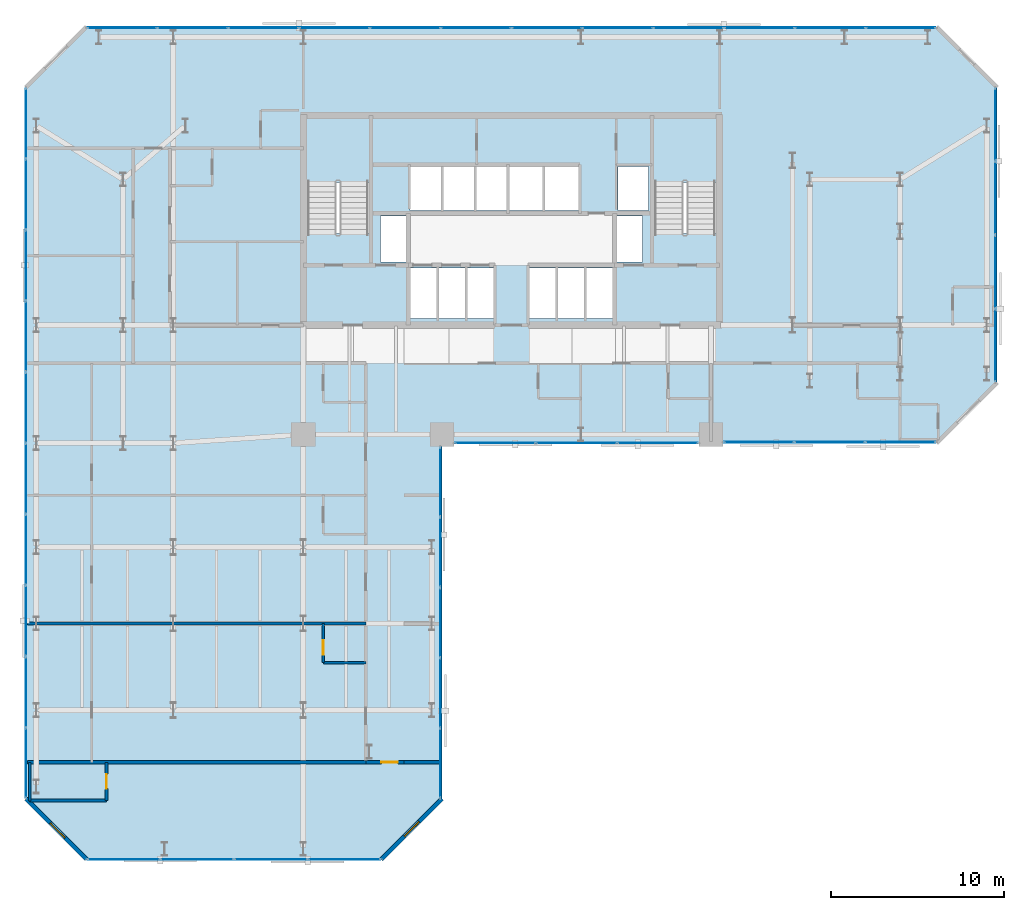
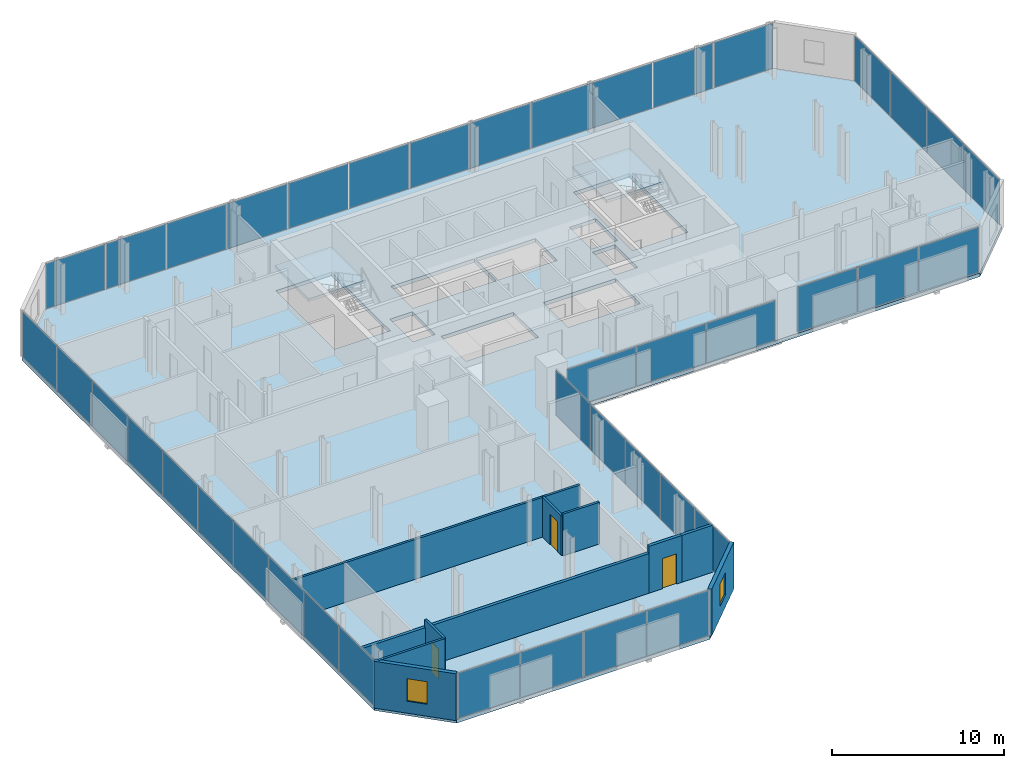
# One storey, part 28 of 33: 41 plates, 11 walls, 3 doors, 3 slabs, 2 windows, 5 openings, 9 elements without a shape of their own.
"""IFC4 building model written with IfcOpenShell, lengths in metres."""

from ifc_helpers import new_model, si_unit, direction, frame, frame_2d, origin, origin_2d, place, context, subcontext, project, spatial, polyline, rectangle, outline, extrude, material, layer, layer_set, type_object, element, fill, aggregate, save


model = new_model("IFC4")

# Units and contexts
model_context = context("Model", 3, precision=1e-05, world=origin(), true_north=direction((0.0, 1.0)))
body_context = subcontext(model_context, "Body", "Model", "MODEL_VIEW")
ifc_project = project(units=[si_unit("LENGTHUNIT", "METRE"), si_unit("AREAUNIT", "SQUARE_METRE"), si_unit("VOLUMEUNIT", "CUBIC_METRE"), si_unit("PLANEANGLEUNIT", "RADIAN"), si_unit("MASSUNIT", "GRAM", prefix="KILO")], contexts=[model_context])

# Site, building, storey
site_placement = place(None, origin())
site = spatial("IfcSite", under=ifc_project, at=site_placement, CompositionType="ELEMENT")
building_placement = place(site_placement, origin())
building = spatial("IfcBuilding", under=site, at=building_placement, Name="Catumbela Crestline Tower", CompositionType="ELEMENT")
storey_placement = place(building_placement, frame((0.0, 0.0, 54.6)))
storey = spatial("IfcBuildingStorey", under=building, at=storey_placement, Name="L13", CompositionType="ELEMENT", Elevation=54.6)

# Curtain wall, plates
ifc_material_1 = material(Name="Aluminium alloy AW-6060-T66", Category="aluminium")
ifc_layer_1 = layer(ifc_material_1, 0.18, Name="Aluminium alloy AW-6060-T66")
ifc_layer_set_1 = layer_set([ifc_layer_1], Name="Aluminium alloy AW-6060-T66")
curtain_wall_type = type_object("IfcCurtainWallType", Name="CWU-Z1", PredefinedType="USERDEFINED", material=ifc_layer_set_1)
curtain_wall_1_placement = place(storey_placement, origin())
curtain_wall_1 = element("IfcCurtainWall", 1, at=curtain_wall_1_placement, inside=storey, type_object=curtain_wall_type, Name="L13 Unitised Curtain Wall CW-L13-E0S1", ObjectType="UNITISED", PredefinedType="USERDEFINED")
ifc_material_2 = material(Name="Low-E laminated solar-control double glazing", Category="glass")
ifc_layer_2 = layer(ifc_material_2, 0.034, Name="Low-E laminated solar-control double glazing")
ifc_layer_set_2 = layer_set([ifc_layer_2], Name="Low-E laminated solar-control double glazing")
plate_type = type_object("IfcPlateType", Name="PNL-GLZ-Z1", PredefinedType="CURTAIN_PANEL", material=ifc_layer_set_2)
plate_1_placement = place(storey_placement, frame((5.6412, 0.0, 0.06), z_axis=(0.0, 0.0, 1.0), x_axis=(1.0, 0.0, 0.0)))
plate_1 = element("IfcPlate", 2, at=plate_1_placement, type_object=plate_type, Name="CWU-Z1 panel 1.1", PredefinedType="CURTAIN_PANEL", context=body_context, shape_type="SweptSolid", body=[
    extrude(rectangle(XDim=4.1525, YDim=0.034, at=origin_2d()), origin(), (0.0, 0.0, 1.0), 3.21),
])
plate_2_placement = place(storey_placement, frame((9.875, 0.0, 0.06), z_axis=(0.0, 0.0, 1.0), x_axis=(1.0, 0.0, 0.0)))
plate_2 = element("IfcPlate", 3, at=plate_2_placement, type_object=plate_type, Name="CWU-Z1 panel 2.1", PredefinedType="CURTAIN_PANEL", context=body_context, shape_type="SweptSolid", body=[
    extrude(rectangle(XDim=4.185, YDim=0.034, at=origin_2d()), origin(), (0.0, 0.0, 1.0), 3.21),
])
plate_3_placement = place(storey_placement, frame((14.125, 0.0, 0.06), z_axis=(0.0, 0.0, 1.0), x_axis=(1.0, 0.0, 0.0)))
plate_3 = element("IfcPlate", 4, at=plate_3_placement, type_object=plate_type, Name="CWU-Z1 panel 3.1", PredefinedType="CURTAIN_PANEL", context=body_context, shape_type="SweptSolid", body=[
    extrude(rectangle(XDim=4.185, YDim=0.034, at=origin_2d()), origin(), (0.0, 0.0, 1.0), 3.21),
])
plate_4_placement = place(storey_placement, frame((18.3588, 0.0, 0.06), z_axis=(0.0, 0.0, 1.0), x_axis=(1.0, 0.0, 0.0)))
plate_4 = element("IfcPlate", 5, at=plate_4_placement, type_object=plate_type, Name="CWU-Z1 panel 4.1", PredefinedType="CURTAIN_PANEL", context=body_context, shape_type="SweptSolid", body=[
    extrude(rectangle(XDim=4.1525, YDim=0.034, at=origin_2d()), origin(), (0.0, 0.0, 1.0), 3.21),
])
aggregate(curtain_wall_1, [plate_1, plate_2, plate_3, plate_4])

curtain_wall_2_placement = place(storey_placement, origin())
curtain_wall_2 = element("IfcCurtainWall", 6, at=curtain_wall_2_placement, inside=storey, type_object=curtain_wall_type, Name="L13 Unitised Curtain Wall CW-L13-E2S1", ObjectType="UNITISED", PredefinedType="USERDEFINED")
plate_5_placement = place(storey_placement, frame((23.9, 5.5462, 0.06), z_axis=(0.0, 0.0, 1.0), x_axis=(0.0, 1.0, 0.0)))
plate_5 = element("IfcPlate", 7, at=plate_5_placement, type_object=plate_type, Name="CWU-Z1 panel 1.1", PredefinedType="CURTAIN_PANEL", context=body_context, shape_type="SweptSolid", body=[
    extrude(rectangle(XDim=3.9625, YDim=0.034, at=origin_2d()), origin(), (0.0, 0.0, 1.0), 3.21),
])
plate_6_placement = place(storey_placement, frame((23.9, 9.59, 0.06), z_axis=(0.0, 0.0, 1.0), x_axis=(0.0, 1.0, 0.0)))
plate_6 = element("IfcPlate", 8, at=plate_6_placement, type_object=plate_type, Name="CWU-Z1 panel 2.1", PredefinedType="CURTAIN_PANEL", context=body_context, shape_type="SweptSolid", body=[
    extrude(rectangle(XDim=3.995, YDim=0.034, at=origin_2d()), origin(), (0.0, 0.0, 1.0), 3.21),
])
plate_7_placement = place(storey_placement, frame((23.9, 13.65, 0.06), z_axis=(0.0, 0.0, 1.0), x_axis=(0.0, 1.0, 0.0)))
plate_7 = element("IfcPlate", 9, at=plate_7_placement, type_object=plate_type, Name="CWU-Z1 panel 3.1", PredefinedType="CURTAIN_PANEL", context=body_context, shape_type="SweptSolid", body=[
    extrude(rectangle(XDim=3.995, YDim=0.034, at=origin_2d()), origin(), (0.0, 0.0, 1.0), 3.21),
])
plate_8_placement = place(storey_placement, frame((23.9, 17.71, 0.06), z_axis=(0.0, 0.0, 1.0), x_axis=(0.0, 1.0, 0.0)))
plate_8 = element("IfcPlate", 10, at=plate_8_placement, type_object=plate_type, Name="CWU-Z1 panel 4.1", PredefinedType="CURTAIN_PANEL", context=body_context, shape_type="SweptSolid", body=[
    extrude(rectangle(XDim=3.995, YDim=0.034, at=origin_2d()), origin(), (0.0, 0.0, 1.0), 3.21),
])
plate_9_placement = place(storey_placement, frame((23.9, 21.7538, 0.06), z_axis=(0.0, 0.0, 1.0), x_axis=(0.0, 1.0, 0.0)))
plate_9 = element("IfcPlate", 11, at=plate_9_placement, type_object=plate_type, Name="CWU-Z1 panel 5.1", PredefinedType="CURTAIN_PANEL", context=body_context, shape_type="SweptSolid", body=[
    extrude(rectangle(XDim=3.9625, YDim=0.034, at=origin_2d()), origin(), (0.0, 0.0, 1.0), 3.21),
])
aggregate(curtain_wall_2, [plate_5, plate_6, plate_7, plate_8, plate_9])

curtain_wall_3_placement = place(storey_placement, origin())
curtain_wall_3 = element("IfcCurtainWall", 12, at=curtain_wall_3_placement, inside=storey, type_object=curtain_wall_type, Name="L13 Unitised Curtain Wall CW-L13-E3S1", ObjectType="UNITISED", PredefinedType="USERDEFINED")
plate_10_placement = place(storey_placement, frame((27.0662, 24.0, 0.06), z_axis=(0.0, 0.0, 1.0), x_axis=(1.0, 0.0, 0.0)))
plate_10 = element("IfcPlate", 13, at=plate_10_placement, type_object=plate_type, Name="CWU-Z1 panel 1.1", PredefinedType="CURTAIN_PANEL", context=body_context, shape_type="SweptSolid", body=[
    extrude(rectangle(XDim=4.6025, YDim=0.034, at=origin_2d()), origin(), (0.0, 0.0, 1.0), 2.81),
])
plate_11_placement = place(storey_placement, frame((31.75, 24.0, 0.06), z_axis=(0.0, 0.0, 1.0), x_axis=(1.0, 0.0, 0.0)))
plate_11 = element("IfcPlate", 14, at=plate_11_placement, type_object=plate_type, Name="CWU-Z1 panel 2.1", PredefinedType="CURTAIN_PANEL", context=body_context, shape_type="SweptSolid", body=[
    extrude(rectangle(XDim=4.635, YDim=0.034, at=origin_2d()), origin(), (0.0, 0.0, 1.0), 2.81),
])
plate_12_placement = place(storey_placement, frame((36.4338, 24.0, 0.06), z_axis=(0.0, 0.0, 1.0), x_axis=(1.0, 0.0, 0.0)))
plate_12 = element("IfcPlate", 15, at=plate_12_placement, type_object=plate_type, Name="CWU-Z1 panel 3.1", PredefinedType="CURTAIN_PANEL", context=body_context, shape_type="SweptSolid", body=[
    extrude(rectangle(XDim=4.6025, YDim=0.034, at=origin_2d()), origin(), (0.0, 0.0, 1.0), 2.81),
])
aggregate(curtain_wall_3, [plate_10, plate_11, plate_12])

curtain_wall_4_placement = place(storey_placement, origin())
curtain_wall_4 = element("IfcCurtainWall", 16, at=curtain_wall_4_placement, inside=storey, type_object=curtain_wall_type, Name="L13 Unitised Curtain Wall CW-L13-E3S2", ObjectType="UNITISED", PredefinedType="USERDEFINED")
plate_13_placement = place(storey_placement, frame((42.2662, 24.05, 0.06), z_axis=(0.0, 0.0, 1.0), x_axis=(1.0, 0.0, 0.0)))
plate_13 = element("IfcPlate", 17, at=plate_13_placement, type_object=plate_type, Name="CWU-Z1 panel 1.1", PredefinedType="CURTAIN_PANEL", context=body_context, shape_type="SweptSolid", body=[
    extrude(rectangle(XDim=4.0025, YDim=0.034, at=origin_2d()), origin(), (0.0, 0.0, 1.0), 3.21),
])
plate_14_placement = place(storey_placement, frame((46.35, 24.05, 0.06), z_axis=(0.0, 0.0, 1.0), x_axis=(1.0, 0.0, 0.0)))
plate_14 = element("IfcPlate", 18, at=plate_14_placement, type_object=plate_type, Name="CWU-Z1 panel 2.1", PredefinedType="CURTAIN_PANEL", context=body_context, shape_type="SweptSolid", body=[
    extrude(rectangle(XDim=4.035, YDim=0.034, at=origin_2d()), origin(), (0.0, 0.0, 1.0), 3.21),
])
plate_15_placement = place(storey_placement, frame((50.4338, 24.05, 0.06), z_axis=(0.0, 0.0, 1.0), x_axis=(1.0, 0.0, 0.0)))
plate_15 = element("IfcPlate", 19, at=plate_15_placement, type_object=plate_type, Name="CWU-Z1 panel 3.1", PredefinedType="CURTAIN_PANEL", context=body_context, shape_type="SweptSolid", body=[
    extrude(rectangle(XDim=4.0025, YDim=0.034, at=origin_2d()), origin(), (0.0, 0.0, 1.0), 3.21),
])
aggregate(curtain_wall_4, [plate_13, plate_14, plate_15])

curtain_wall_5_placement = place(storey_placement, origin())
curtain_wall_5 = element("IfcCurtainWall", 20, at=curtain_wall_5_placement, inside=storey, type_object=curtain_wall_type, Name="L13 Unitised Curtain Wall CW-L13-E5S1", ObjectType="UNITISED", PredefinedType="USERDEFINED")
plate_16_placement = place(storey_placement, frame((55.9, 29.6412, 0.06), z_axis=(0.0, 0.0, 1.0), x_axis=(0.0, 1.0, 0.0)))
plate_16 = element("IfcPlate", 21, at=plate_16_placement, type_object=plate_type, Name="CWU-Z1 panel 1.1", PredefinedType="CURTAIN_PANEL", context=body_context, shape_type="SweptSolid", body=[
    extrude(rectangle(XDim=4.1525, YDim=0.034, at=origin_2d()), origin(), (0.0, 0.0, 1.0), 3.21),
])
plate_17_placement = place(storey_placement, frame((55.9, 33.875, 0.06), z_axis=(0.0, 0.0, 1.0), x_axis=(0.0, 1.0, 0.0)))
plate_17 = element("IfcPlate", 22, at=plate_17_placement, type_object=plate_type, Name="CWU-Z1 panel 2.1", PredefinedType="CURTAIN_PANEL", context=body_context, shape_type="SweptSolid", body=[
    extrude(rectangle(XDim=4.185, YDim=0.034, at=origin_2d()), origin(), (0.0, 0.0, 1.0), 3.21),
])
plate_18_placement = place(storey_placement, frame((55.9, 38.125, 0.06), z_axis=(0.0, 0.0, 1.0), x_axis=(0.0, 1.0, 0.0)))
plate_18 = element("IfcPlate", 23, at=plate_18_placement, type_object=plate_type, Name="CWU-Z1 panel 3.1", PredefinedType="CURTAIN_PANEL", context=body_context, shape_type="SweptSolid", body=[
    extrude(rectangle(XDim=4.185, YDim=0.034, at=origin_2d()), origin(), (0.0, 0.0, 1.0), 3.21),
])
plate_19_placement = place(storey_placement, frame((55.9, 42.3588, 0.06), z_axis=(0.0, 0.0, 1.0), x_axis=(0.0, 1.0, 0.0)))
plate_19 = element("IfcPlate", 24, at=plate_19_placement, type_object=plate_type, Name="CWU-Z1 panel 4.1", PredefinedType="CURTAIN_PANEL", context=body_context, shape_type="SweptSolid", body=[
    extrude(rectangle(XDim=4.1525, YDim=0.034, at=origin_2d()), origin(), (0.0, 0.0, 1.0), 3.21),
])
aggregate(curtain_wall_5, [plate_16, plate_17, plate_18, plate_19])

curtain_wall_6_placement = place(storey_placement, origin())
curtain_wall_6 = element("IfcCurtainWall", 25, at=curtain_wall_6_placement, inside=storey, type_object=curtain_wall_type, Name="L13 Unitised Curtain Wall CW-L13-E7S1", ObjectType="UNITISED", PredefinedType="USERDEFINED")
plate_20_placement = place(storey_placement, frame((50.4421, 47.95, 0.06), z_axis=(0.0, 0.0, 1.0), x_axis=(-1.0, 0.0, 0.0)))
plate_20 = element("IfcPlate", 26, at=plate_20_placement, type_object=plate_type, Name="CWU-Z1 panel 1.1", PredefinedType="CURTAIN_PANEL", context=body_context, shape_type="SweptSolid", body=[
    extrude(rectangle(XDim=3.9858, YDim=0.034, at=origin_2d()), origin(), (0.0, 0.0, 1.0), 3.21),
])
plate_21_placement = place(storey_placement, frame((46.375, 47.95, 0.06), z_axis=(0.0, 0.0, 1.0), x_axis=(-1.0, 0.0, 0.0)))
plate_21 = element("IfcPlate", 27, at=plate_21_placement, type_object=plate_type, Name="CWU-Z1 panel 2.1", PredefinedType="CURTAIN_PANEL", context=body_context, shape_type="SweptSolid", body=[
    extrude(rectangle(XDim=4.0183, YDim=0.034, at=origin_2d()), origin(), (0.0, 0.0, 1.0), 3.21),
])
plate_22_placement = place(storey_placement, frame((42.2917, 47.95, 0.06), z_axis=(0.0, 0.0, 1.0), x_axis=(-1.0, 0.0, 0.0)))
plate_22 = element("IfcPlate", 28, at=plate_22_placement, type_object=plate_type, Name="CWU-Z1 panel 3.1", PredefinedType="CURTAIN_PANEL", context=body_context, shape_type="SweptSolid", body=[
    extrude(rectangle(XDim=4.0183, YDim=0.034, at=origin_2d()), origin(), (0.0, 0.0, 1.0), 3.21),
])
plate_23_placement = place(storey_placement, frame((38.2083, 47.95, 0.06), z_axis=(0.0, 0.0, 1.0), x_axis=(-1.0, 0.0, 0.0)))
plate_23 = element("IfcPlate", 29, at=plate_23_placement, type_object=plate_type, Name="CWU-Z1 panel 4.1", PredefinedType="CURTAIN_PANEL", context=body_context, shape_type="SweptSolid", body=[
    extrude(rectangle(XDim=4.0183, YDim=0.034, at=origin_2d()), origin(), (0.0, 0.0, 1.0), 3.21),
])
plate_24_placement = place(storey_placement, frame((34.125, 47.95, 0.06), z_axis=(0.0, 0.0, 1.0), x_axis=(-1.0, 0.0, 0.0)))
plate_24 = element("IfcPlate", 30, at=plate_24_placement, type_object=plate_type, Name="CWU-Z1 panel 5.1", PredefinedType="CURTAIN_PANEL", context=body_context, shape_type="SweptSolid", body=[
    extrude(rectangle(XDim=4.0183, YDim=0.034, at=origin_2d()), origin(), (0.0, 0.0, 1.0), 3.21),
])
plate_25_placement = place(storey_placement, frame((30.0417, 47.95, 0.06), z_axis=(0.0, 0.0, 1.0), x_axis=(-1.0, 0.0, 0.0)))
plate_25 = element("IfcPlate", 31, at=plate_25_placement, type_object=plate_type, Name="CWU-Z1 panel 6.1", PredefinedType="CURTAIN_PANEL", context=body_context, shape_type="SweptSolid", body=[
    extrude(rectangle(XDim=4.0183, YDim=0.034, at=origin_2d()), origin(), (0.0, 0.0, 1.0), 3.21),
])
plate_26_placement = place(storey_placement, frame((25.9583, 47.95, 0.06), z_axis=(0.0, 0.0, 1.0), x_axis=(-1.0, 0.0, 0.0)))
plate_26 = element("IfcPlate", 32, at=plate_26_placement, type_object=plate_type, Name="CWU-Z1 panel 7.1", PredefinedType="CURTAIN_PANEL", context=body_context, shape_type="SweptSolid", body=[
    extrude(rectangle(XDim=4.0183, YDim=0.034, at=origin_2d()), origin(), (0.0, 0.0, 1.0), 3.21),
])
plate_27_placement = place(storey_placement, frame((21.875, 47.95, 0.06), z_axis=(0.0, 0.0, 1.0), x_axis=(-1.0, 0.0, 0.0)))
plate_27 = element("IfcPlate", 33, at=plate_27_placement, type_object=plate_type, Name="CWU-Z1 panel 8.1", PredefinedType="CURTAIN_PANEL", context=body_context, shape_type="SweptSolid", body=[
    extrude(rectangle(XDim=4.0183, YDim=0.034, at=origin_2d()), origin(), (0.0, 0.0, 1.0), 3.21),
])
plate_28_placement = place(storey_placement, frame((17.7917, 47.95, 0.06), z_axis=(0.0, 0.0, 1.0), x_axis=(-1.0, 0.0, 0.0)))
plate_28 = element("IfcPlate", 34, at=plate_28_placement, type_object=plate_type, Name="CWU-Z1 panel 9.1", PredefinedType="CURTAIN_PANEL", context=body_context, shape_type="SweptSolid", body=[
    extrude(rectangle(XDim=4.0183, YDim=0.034, at=origin_2d()), origin(), (0.0, 0.0, 1.0), 3.21),
])
plate_29_placement = place(storey_placement, frame((13.7083, 47.95, 0.06), z_axis=(0.0, 0.0, 1.0), x_axis=(-1.0, 0.0, 0.0)))
plate_29 = element("IfcPlate", 35, at=plate_29_placement, type_object=plate_type, Name="CWU-Z1 panel 10.1", PredefinedType="CURTAIN_PANEL", context=body_context, shape_type="SweptSolid", body=[
    extrude(rectangle(XDim=4.0183, YDim=0.034, at=origin_2d()), origin(), (0.0, 0.0, 1.0), 3.21),
])
plate_30_placement = place(storey_placement, frame((9.625, 47.95, 0.06), z_axis=(0.0, 0.0, 1.0), x_axis=(-1.0, 0.0, 0.0)))
plate_30 = element("IfcPlate", 36, at=plate_30_placement, type_object=plate_type, Name="CWU-Z1 panel 11.1", PredefinedType="CURTAIN_PANEL", context=body_context, shape_type="SweptSolid", body=[
    extrude(rectangle(XDim=4.0183, YDim=0.034, at=origin_2d()), origin(), (0.0, 0.0, 1.0), 3.21),
])
plate_31_placement = place(storey_placement, frame((5.5579, 47.95, 0.06), z_axis=(0.0, 0.0, 1.0), x_axis=(-1.0, 0.0, 0.0)))
plate_31 = element("IfcPlate", 37, at=plate_31_placement, type_object=plate_type, Name="CWU-Z1 panel 12.1", PredefinedType="CURTAIN_PANEL", context=body_context, shape_type="SweptSolid", body=[
    extrude(rectangle(XDim=3.9858, YDim=0.034, at=origin_2d()), origin(), (0.0, 0.0, 1.0), 3.21),
])
aggregate(curtain_wall_6, [plate_20, plate_21, plate_22, plate_23, plate_24, plate_25, plate_26, plate_27, plate_28, plate_29, plate_30, plate_31])

curtain_wall_7_placement = place(storey_placement, origin())
curtain_wall_7 = element("IfcCurtainWall", 38, at=curtain_wall_7_placement, inside=storey, type_object=curtain_wall_type, Name="L13 Unitised Curtain Wall CW-L13-E9S1", ObjectType="UNITISED", PredefinedType="USERDEFINED")
plate_32_placement = place(storey_placement, frame((0.0, 42.4338, 0.06), z_axis=(0.0, 0.0, 1.0), x_axis=(0.0, -1.0, 0.0)))
plate_32 = element("IfcPlate", 39, at=plate_32_placement, type_object=plate_type, Name="CWU-Z1 panel 1.1", PredefinedType="CURTAIN_PANEL", context=body_context, shape_type="SweptSolid", body=[
    extrude(rectangle(XDim=4.0025, YDim=0.034, at=origin_2d()), origin(), (0.0, 0.0, 1.0), 3.21),
])
plate_33_placement = place(storey_placement, frame((0.0, 38.35, 0.06), z_axis=(0.0, 0.0, 1.0), x_axis=(0.0, -1.0, 0.0)))
plate_33 = element("IfcPlate", 40, at=plate_33_placement, type_object=plate_type, Name="CWU-Z1 panel 2.1", PredefinedType="CURTAIN_PANEL", context=body_context, shape_type="SweptSolid", body=[
    extrude(rectangle(XDim=4.035, YDim=0.034, at=origin_2d()), origin(), (0.0, 0.0, 1.0), 3.21),
])
plate_34_placement = place(storey_placement, frame((0.0, 34.25, 0.06), z_axis=(0.0, 0.0, 1.0), x_axis=(0.0, -1.0, 0.0)))
plate_34 = element("IfcPlate", 41, at=plate_34_placement, type_object=plate_type, Name="CWU-Z1 panel 3.1", PredefinedType="CURTAIN_PANEL", context=body_context, shape_type="SweptSolid", body=[
    extrude(rectangle(XDim=4.035, YDim=0.034, at=origin_2d()), origin(), (0.0, 0.0, 1.0), 3.21),
])
plate_35_placement = place(storey_placement, frame((0.0, 30.15, 0.06), z_axis=(0.0, 0.0, 1.0), x_axis=(0.0, -1.0, 0.0)))
plate_35 = element("IfcPlate", 42, at=plate_35_placement, type_object=plate_type, Name="CWU-Z1 panel 4.1", PredefinedType="CURTAIN_PANEL", context=body_context, shape_type="SweptSolid", body=[
    extrude(rectangle(XDim=4.035, YDim=0.034, at=origin_2d()), origin(), (0.0, 0.0, 1.0), 3.21),
])
plate_36_placement = place(storey_placement, frame((0.0, 26.05, 0.06), z_axis=(0.0, 0.0, 1.0), x_axis=(0.0, -1.0, 0.0)))
plate_36 = element("IfcPlate", 43, at=plate_36_placement, type_object=plate_type, Name="CWU-Z1 panel 5.1", PredefinedType="CURTAIN_PANEL", context=body_context, shape_type="SweptSolid", body=[
    extrude(rectangle(XDim=4.035, YDim=0.034, at=origin_2d()), origin(), (0.0, 0.0, 1.0), 3.21),
])
plate_37_placement = place(storey_placement, frame((0.0, 21.95, 0.06), z_axis=(0.0, 0.0, 1.0), x_axis=(0.0, -1.0, 0.0)))
plate_37 = element("IfcPlate", 44, at=plate_37_placement, type_object=plate_type, Name="CWU-Z1 panel 6.1", PredefinedType="CURTAIN_PANEL", context=body_context, shape_type="SweptSolid", body=[
    extrude(rectangle(XDim=4.035, YDim=0.034, at=origin_2d()), origin(), (0.0, 0.0, 1.0), 3.21),
])
plate_38_placement = place(storey_placement, frame((0.0, 17.85, 0.06), z_axis=(0.0, 0.0, 1.0), x_axis=(0.0, -1.0, 0.0)))
plate_38 = element("IfcPlate", 45, at=plate_38_placement, type_object=plate_type, Name="CWU-Z1 panel 7.1", PredefinedType="CURTAIN_PANEL", context=body_context, shape_type="SweptSolid", body=[
    extrude(rectangle(XDim=4.035, YDim=0.034, at=origin_2d()), origin(), (0.0, 0.0, 1.0), 3.21),
])
plate_39_placement = place(storey_placement, frame((0.0, 13.75, 0.06), z_axis=(0.0, 0.0, 1.0), x_axis=(0.0, -1.0, 0.0)))
plate_39 = element("IfcPlate", 46, at=plate_39_placement, type_object=plate_type, Name="CWU-Z1 panel 8.1", PredefinedType="CURTAIN_PANEL", context=body_context, shape_type="SweptSolid", body=[
    extrude(rectangle(XDim=4.035, YDim=0.034, at=origin_2d()), origin(), (0.0, 0.0, 1.0), 3.21),
])
plate_40_placement = place(storey_placement, frame((0.0, 9.65, 0.06), z_axis=(0.0, 0.0, 1.0), x_axis=(0.0, -1.0, 0.0)))
plate_40 = element("IfcPlate", 47, at=plate_40_placement, type_object=plate_type, Name="CWU-Z1 panel 9.1", PredefinedType="CURTAIN_PANEL", context=body_context, shape_type="SweptSolid", body=[
    extrude(rectangle(XDim=4.035, YDim=0.034, at=origin_2d()), origin(), (0.0, 0.0, 1.0), 3.21),
])
plate_41_placement = place(storey_placement, frame((0.0, 5.5662, 0.06), z_axis=(0.0, 0.0, 1.0), x_axis=(0.0, -1.0, 0.0)))
plate_41 = element("IfcPlate", 48, at=plate_41_placement, type_object=plate_type, Name="CWU-Z1 panel 10.1", PredefinedType="CURTAIN_PANEL", context=body_context, shape_type="SweptSolid", body=[
    extrude(rectangle(XDim=4.0025, YDim=0.034, at=origin_2d()), origin(), (0.0, 0.0, 1.0), 3.21),
])
aggregate(curtain_wall_7, [plate_32, plate_33, plate_34, plate_35, plate_36, plate_37, plate_38, plate_39, plate_40, plate_41])

# Stair, slab
ifc_material_3 = material(Name="Concrete C45/55", Category="concrete")
stair_type = type_object("IfcStairType", Name="ST-DLG", PredefinedType="HALF_TURN_STAIR", material=ifc_material_3)
stair_1_placement = place(storey_placement, origin())
stair_1 = element("IfcStair", 49, at=stair_1_placement, inside=storey, type_object=stair_type, Name="L13 West Core Pressurised Exit Stair ST-01", PredefinedType="HALF_TURN_STAIR")
ifc_layer_3 = layer(ifc_material_3, 0.2, Name="Concrete C45/55")
ifc_layer_set_3 = layer_set([ifc_layer_3], Name="Concrete C45/55")
slab_type_1 = type_object("IfcSlabType", Name="SL-LND", PredefinedType="LANDING", material=ifc_layer_set_3)
slab_1_placement = place(storey_placement, frame((0.0, 0.0, 1.6)))
slab_1 = element("IfcSlab", 50, at=slab_1_placement, type_object=slab_type_1, Name="ST-01 landing 1", PredefinedType="LANDING", context=body_context, shape_type="SweptSolid", body=[
    extrude(outline(polyline([(19.91, 39.02), (19.91, 42.96), (16.09, 42.96), (16.09, 39.02), (19.91, 39.02)])), origin(), (0.0, 0.0, 1.0), 0.2),
])
aggregate(stair_1, [slab_1])

stair_2_placement = place(storey_placement, origin())
stair_2 = element("IfcStair", 51, at=stair_2_placement, inside=storey, type_object=stair_type, Name="L13 East Core Pressurised Exit Stair ST-02", PredefinedType="HALF_TURN_STAIR")
slab_2_placement = place(storey_placement, frame((0.0, 0.0, 1.6)))
slab_2 = element("IfcSlab", 52, at=slab_2_placement, type_object=slab_type_1, Name="ST-02 landing 1", PredefinedType="LANDING", context=body_context, shape_type="SweptSolid", body=[
    extrude(outline(polyline([(39.91, 39.02), (39.91, 42.96), (36.09, 42.96), (36.09, 39.02), (39.91, 39.02)])), origin(), (0.0, 0.0, 1.0), 0.2),
])
aggregate(stair_2, [slab_2])

# Slab
ifc_layer_4 = layer(ifc_material_3, 0.26, Name="Concrete C45/55")
ifc_layer_set_4 = layer_set([ifc_layer_4], Name="Concrete C45/55")
slab_type_2 = type_object("IfcSlabType", Name="SL-260", PredefinedType="FLOOR", material=ifc_layer_set_4)
slab_3_placement = place(storey_placement, frame((0.0, 0.0, -0.26)))
element("IfcSlab", 53, at=slab_3_placement, inside=storey, type_object=slab_type_2, Name="L13 Structural Floor Slab", PredefinedType="FLOOR", context=body_context, shape_type="SweptSolid", body=[
    extrude(outline(polyline([(3.5, 0.0), (20.5, 0.0), (24.0, 3.5), (24.0, 24.0), (52.5, 24.0), (56.0, 27.5), (56.0, 44.5), (52.5, 48.0), (3.5, 48.0), (0.0, 44.5), (0.0, 3.5), (3.5, 0.0)]), holes=[polyline([(16.13, 36.08), (19.87, 36.08), (19.87, 42.92), (16.13, 42.92), (16.13, 36.08)]), polyline([(36.13, 36.08), (39.87, 36.08), (39.87, 42.92), (36.13, 42.92), (36.13, 36.08)]), polyline([(22.15, 31.2), (27.0, 31.2), (27.0, 34.1), (22.15, 34.1), (22.15, 31.2)]), polyline([(29.0, 31.2), (33.85, 31.2), (33.85, 34.1), (29.0, 34.1), (29.0, 31.2)]), polyline([(22.15, 37.4), (27.75, 37.4), (27.75, 39.95), (22.15, 39.95), (22.15, 37.4)]), polyline([(27.85, 37.4), (31.85, 37.4), (31.85, 39.95), (27.85, 39.95), (27.85, 37.4)]), polyline([(20.45, 34.45), (21.95, 34.45), (21.95, 37.1), (20.45, 37.1), (20.45, 34.45)]), polyline([(34.05, 34.45), (35.55, 34.45), (35.55, 37.1), (34.05, 37.1), (34.05, 34.45)]), polyline([(34.15, 37.4), (35.9, 37.4), (35.9, 39.95), (34.15, 39.95), (34.15, 37.4)])]), origin(), (0.0, 0.0, 1.0), 0.26),
])

# Wall, opening, door
ifc_material_4 = material(Name="Acoustic gypsum and mineral-wool partition")
ifc_layer_5 = layer(ifc_material_4, 0.2, Name="Acoustic gypsum and mineral-wool partition")
ifc_layer_set_5 = layer_set([ifc_layer_5], Name="Acoustic gypsum and mineral-wool partition")
wall_type_1 = type_object("IfcWallType", Name="WC-200", PredefinedType="PARTITIONING", material=ifc_layer_set_5)
wall_1_placement = place(storey_placement, frame((19.6, 5.6, 0.0), z_axis=(0.0, 0.0, 1.0), x_axis=(1.0, 0.0, 0.0)))
wall_1 = element("IfcWall", 54, at=wall_1_placement, inside=storey, type_object=wall_type_1, Name="L13 Interior Partition PW-L13-WTIP-ENT", PredefinedType="PARTITIONING", context=body_context, shape_type="SweptSolid", body=[
    extrude(rectangle(XDim=2.2, YDim=0.2, at=frame_2d((1.1, 0.0))), origin(), (0.0, 0.0, 1.0), 3.33),
])
opening_1_placement = place(wall_1_placement, frame((0.9, 0.0, 0.0)))
opening_1 = element("IfcOpeningElement", 55, at=opening_1_placement, cuts=wall_1, Name="Opening DF6-095", PredefinedType="OPENING", context=body_context, shape_type="SweptSolid", body=[
    extrude(rectangle(XDim=0.95, YDim=2.15, at=frame_2d((0.475, 1.075))), frame((0.0, 0.11, 0.0), z_axis=(0.0, -1.0, 0.0), x_axis=(1.0, 0.0, 0.0)), (0.0, 0.0, 1.0), 0.22),
])
door_type_1 = type_object("IfcDoorType", Name="DF6-095", OperationType="NOTDEFINED", PredefinedType="DOOR", material=ifc_material_1)
door_1_placement = place(opening_1_placement, origin())
door_1 = element("IfcDoor", 56, at=door_1_placement, inside=storey, type_object=door_type_1, Name="L13 Interior Door DR-L13-WTIP-ENT", OperationType="SINGLE_SWING_RIGHT", OverallHeight=2.15, OverallWidth=0.95, PredefinedType="DOOR", context=body_context, shape_type="SweptSolid", body=[
    extrude(rectangle(XDim=0.95, YDim=2.15, at=frame_2d((0.475, 1.075))), frame((0.0, 0.025, 0.0), z_axis=(0.0, -1.0, 0.0), x_axis=(1.0, 0.0, 0.0)), (0.0, 0.0, 1.0), 0.05),
])
fill(opening_1, door_1)

# Wall, opening, window
ifc_material_5 = material(Name="Angolan grey-ochre granite", Category="masonry")
ifc_layer_6 = layer(ifc_material_5, 0.25, Name="Angolan grey-ochre granite")
ifc_layer_set_6 = layer_set([ifc_layer_6], Name="Angolan grey-ochre granite")
wall_type_2 = type_object("IfcWallType", Name="WE-250", PredefinedType="STANDARD", material=ifc_layer_set_6)
wall_2_placement = place(storey_placement, frame((20.5, 0.0, 0.0), z_axis=(0.0, 0.0, 1.0), x_axis=(0.707106781187, 0.707106781187, 0.0)))
wall_2 = element("IfcWall", 57, at=wall_2_placement, inside=storey, type_object=wall_type_2, Name="L13 Granite Punched Window Wall 1-1", PredefinedType="STANDARD", context=body_context, shape_type="SweptSolid", body=[
    extrude(rectangle(XDim=4.9497, YDim=0.25, at=frame_2d((2.4748, 0.0))), origin(), (0.0, 0.0, 1.0), 3.33),
])
opening_2_placement = place(wall_2_placement, frame((1.8748, 0.0, 0.85)))
opening_2 = element("IfcOpeningElement", 58, at=opening_2_placement, cuts=wall_2, Name="Opening WN-02", PredefinedType="OPENING", context=body_context, shape_type="SweptSolid", body=[
    extrude(rectangle(XDim=1.2, YDim=1.6, at=frame_2d((0.6, 0.8))), frame((0.0, 0.135, 0.0), z_axis=(0.0, -1.0, 0.0), x_axis=(1.0, 0.0, 0.0)), (0.0, 0.0, 1.0), 0.27),
])
window_type = type_object("IfcWindowType", Name="WO-1200", PartitioningType="SINGLE_PANEL", PredefinedType="WINDOW", material=ifc_material_2)
window_1_placement = place(opening_2_placement, origin())
window_1 = element("IfcWindow", 59, at=window_1_placement, inside=storey, type_object=window_type, Name="L13 Facade Vision Window 88", OverallHeight=1.6, OverallWidth=1.2, PartitioningType="SINGLE_PANEL", PredefinedType="WINDOW", context=body_context, shape_type="SweptSolid", body=[
    extrude(rectangle(XDim=1.2, YDim=1.6, at=frame_2d((0.6, 0.8))), frame((0.0, 0.03, 0.0), z_axis=(0.0, -1.0, 0.0), x_axis=(1.0, 0.0, 0.0)), (0.0, 0.0, 1.0), 0.06),
])
fill(opening_2, window_1)

wall_3_placement = place(storey_placement, frame((0.0, 3.5, 0.0), z_axis=(0.0, 0.0, 1.0), x_axis=(0.707106781187, -0.707106781187, 0.0)))
wall_3 = element("IfcWall", 60, at=wall_3_placement, inside=storey, type_object=wall_type_2, Name="L13 Granite Punched Window Wall 10-1", PredefinedType="STANDARD", context=body_context, shape_type="SweptSolid", body=[
    extrude(rectangle(XDim=4.9497, YDim=0.25, at=frame_2d((2.4748, 0.0))), origin(), (0.0, 0.0, 1.0), 3.33),
])
opening_3_placement = place(wall_3_placement, frame((1.9851, 0.0, 0.85)))
opening_3 = element("IfcOpeningElement", 61, at=opening_3_placement, cuts=wall_3, Name="Opening WN-02", PredefinedType="OPENING", context=body_context, shape_type="SweptSolid", body=[
    extrude(rectangle(XDim=1.2, YDim=1.6, at=frame_2d((0.6, 0.8))), frame((0.0, 0.135, 0.0), z_axis=(0.0, -1.0, 0.0), x_axis=(1.0, 0.0, 0.0)), (0.0, 0.0, 1.0), 0.27),
])
window_2_placement = place(opening_3_placement, origin())
window_2 = element("IfcWindow", 62, at=window_2_placement, inside=storey, type_object=window_type, Name="L13 Facade Vision Window 92", OverallHeight=1.6, OverallWidth=1.2, PartitioningType="SINGLE_PANEL", PredefinedType="WINDOW", context=body_context, shape_type="SweptSolid", body=[
    extrude(rectangle(XDim=1.2, YDim=1.6, at=frame_2d((0.6, 0.8))), frame((0.0, 0.03, 0.0), z_axis=(0.0, -1.0, 0.0), x_axis=(1.0, 0.0, 0.0)), (0.0, 0.0, 1.0), 0.06),
])
fill(opening_3, window_2)

# Wall
ifc_layer_7 = layer(ifc_material_4, 0.15, Name="Acoustic gypsum and mineral-wool partition")
ifc_layer_set_7 = layer_set([ifc_layer_7], Name="Acoustic gypsum and mineral-wool partition")
wall_type_3 = type_object("IfcWallType", Name="WP-150", PredefinedType="PARTITIONING", material=ifc_layer_set_7)
wall_4_placement = place(storey_placement, frame((0.2, 3.4, 0.0), z_axis=(0.0, 0.0, 1.0), x_axis=(1.0, 0.0, 0.0)))
element("IfcWall", 63, at=wall_4_placement, inside=storey, type_object=wall_type_3, Name="L13 Interior Partition PW-L13-WTIP-BHW", PredefinedType="PARTITIONING", context=body_context, shape_type="SweptSolid", body=[
    extrude(rectangle(XDim=4.45, YDim=0.15, at=frame_2d((2.225, 0.0))), origin(), (0.0, 0.0, 1.0), 3.33),
])

# Wall, opening, door
wall_5_placement = place(storey_placement, frame((4.65, 3.4, 0.0), z_axis=(0.0, 0.0, 1.0), x_axis=(0.0, 1.0, 0.0)))
wall_5 = element("IfcWall", 64, at=wall_5_placement, inside=storey, type_object=wall_type_3, Name="L13 Interior Partition PW-L13-WTIP-BEW", PredefinedType="PARTITIONING", context=body_context, shape_type="SweptSolid", body=[
    extrude(rectangle(XDim=2.2, YDim=0.15, at=frame_2d((1.1, 0.0))), origin(), (0.0, 0.0, 1.0), 3.33),
])
opening_4_placement = place(wall_5_placement, frame((0.675, 0.0, 0.0)))
opening_4 = element("IfcOpeningElement", 65, at=opening_4_placement, cuts=wall_5, Name="Opening DI-085", PredefinedType="OPENING", context=body_context, shape_type="SweptSolid", body=[
    extrude(rectangle(XDim=0.85, YDim=2.15, at=frame_2d((0.425, 1.075))), frame((0.0, 0.085, 0.0), z_axis=(0.0, -1.0, 0.0), x_axis=(1.0, 0.0, 0.0)), (0.0, 0.0, 1.0), 0.17),
])
door_type_2 = type_object("IfcDoorType", Name="DI-085", OperationType="NOTDEFINED", PredefinedType="DOOR", material=ifc_material_1)
door_2_placement = place(opening_4_placement, origin())
door_2 = element("IfcDoor", 66, at=door_2_placement, inside=storey, type_object=door_type_2, Name="L13 Interior Door DR-L13-WTIP-BTH", OperationType="SINGLE_SWING_LEFT", OverallHeight=2.15, OverallWidth=0.85, PredefinedType="DOOR", context=body_context, shape_type="SweptSolid", body=[
    extrude(rectangle(XDim=0.85, YDim=2.15, at=frame_2d((0.425, 1.075))), frame((0.0, 0.025, 0.0), z_axis=(0.0, -1.0, 0.0), x_axis=(1.0, 0.0, 0.0)), (0.0, 0.0, 1.0), 0.05),
])
fill(opening_4, door_2)

# Walls
wall_6_placement = place(storey_placement, frame((0.22, 3.38, 0.0), z_axis=(0.0, 0.0, 1.0), x_axis=(0.0, 1.0, 0.0)))
element("IfcWall", 67, at=wall_6_placement, inside=storey, type_object=wall_type_3, Name="L13 Interior Partition PW-L13-WTIP-BCL-3", PredefinedType="PARTITIONING", context=body_context, shape_type="SweptSolid", body=[
    extrude(rectangle(XDim=2.22, YDim=0.15, at=frame_2d((1.11, 0.0))), origin(), (0.0, 0.0, 1.0), 2.93),
])
wall_7_placement = place(storey_placement, frame((17.15, 11.35, 0.0), z_axis=(0.0, 0.0, 1.0), x_axis=(1.0, 0.0, 0.0)))
element("IfcWall", 68, at=wall_7_placement, inside=storey, type_object=wall_type_3, Name="L13 Interior Partition PW-L13-WL1-BSW", PredefinedType="PARTITIONING", context=body_context, shape_type="SweptSolid", body=[
    extrude(rectangle(XDim=2.45, YDim=0.15, at=frame_2d((1.225, 0.0))), origin(), (0.0, 0.0, 1.0), 2.96),
])

# Wall, opening, door
wall_8_placement = place(storey_placement, frame((17.15, 11.35, 0.0), z_axis=(0.0, 0.0, 1.0), x_axis=(0.0, 1.0, 0.0)))
wall_8 = element("IfcWall", 69, at=wall_8_placement, inside=storey, type_object=wall_type_3, Name="L13 Interior Partition PW-L13-WL1-BWW", PredefinedType="PARTITIONING", context=body_context, shape_type="SweptSolid", body=[
    extrude(rectangle(XDim=2.25, YDim=0.15, at=frame_2d((1.125, 0.0))), origin(), (0.0, 0.0, 1.0), 2.82),
])
opening_5_placement = place(wall_8_placement, frame((0.4444, 0.0, 0.0)))
opening_5 = element("IfcOpeningElement", 70, at=opening_5_placement, cuts=wall_8, Name="Opening DI-085", PredefinedType="OPENING", context=body_context, shape_type="SweptSolid", body=[
    extrude(rectangle(XDim=0.85, YDim=2.15, at=frame_2d((0.425, 1.075))), frame((0.0, 0.085, 0.0), z_axis=(0.0, -1.0, 0.0), x_axis=(1.0, 0.0, 0.0)), (0.0, 0.0, 1.0), 0.17),
])
door_3_placement = place(opening_5_placement, origin())
door_3 = element("IfcDoor", 71, at=door_3_placement, inside=storey, type_object=door_type_2, Name="L13 Interior Door DR-L13-WL1-BTH", OperationType="SINGLE_SWING_LEFT", OverallHeight=2.15, OverallWidth=0.85, PredefinedType="DOOR", context=body_context, shape_type="SweptSolid", body=[
    extrude(rectangle(XDim=0.85, YDim=2.15, at=frame_2d((0.425, 1.075))), frame((0.0, 0.025, 0.0), z_axis=(0.0, -1.0, 0.0), x_axis=(1.0, 0.0, 0.0)), (0.0, 0.0, 1.0), 0.05),
])
fill(opening_5, door_3)

# Walls
wall_9_placement = place(storey_placement, frame((0.1, 13.6, 0.0), z_axis=(0.0, 0.0, 1.0), x_axis=(1.0, 0.0, 0.0)))
element("IfcWall", 72, at=wall_9_placement, inside=storey, type_object=wall_type_3, Name="L13 Interior Partition PW-L13-WL1-BCL-1", PredefinedType="PARTITIONING", context=body_context, shape_type="SweptSolid", body=[
    extrude(rectangle(XDim=19.5, YDim=0.15, at=frame_2d((9.75, 0.0))), origin(), (0.0, 0.0, 1.0), 2.82),
])
ifc_layer_8 = layer(ifc_material_4, 0.2, Name="Acoustic gypsum and mineral-wool partition")
ifc_layer_set_8 = layer_set([ifc_layer_8], Name="Acoustic gypsum and mineral-wool partition")
wall_type_4 = type_object("IfcWallType", Name="WY-200", PredefinedType="PARTITIONING", material=ifc_layer_set_8)
wall_10_placement = place(storey_placement, frame((0.1, 5.6, 0.0), z_axis=(0.0, 0.0, 1.0), x_axis=(1.0, 0.0, 0.0)))
element("IfcWall", 73, at=wall_10_placement, inside=storey, type_object=wall_type_4, Name="L13 Interior Partition PW-L13-WTIP-WL", PredefinedType="PARTITIONING", context=body_context, shape_type="SweptSolid", body=[
    extrude(rectangle(XDim=19.5, YDim=0.2, at=frame_2d((9.75, 0.0))), origin(), (0.0, 0.0, 1.0), 2.82),
])
wall_11_placement = place(storey_placement, frame((21.8, 5.6, 0.0), z_axis=(0.0, 0.0, 1.0), x_axis=(1.0, 0.0, 0.0)))
element("IfcWall", 74, at=wall_11_placement, inside=storey, type_object=wall_type_4, Name="L13 Interior Partition PW-L13-WTIP-WR", PredefinedType="PARTITIONING", context=body_context, shape_type="SweptSolid", body=[
    extrude(rectangle(XDim=2.1, YDim=0.2, at=frame_2d((1.05, 0.0))), origin(), (0.0, 0.0, 1.0), 3.33),
])

save(model, "model.ifc")
